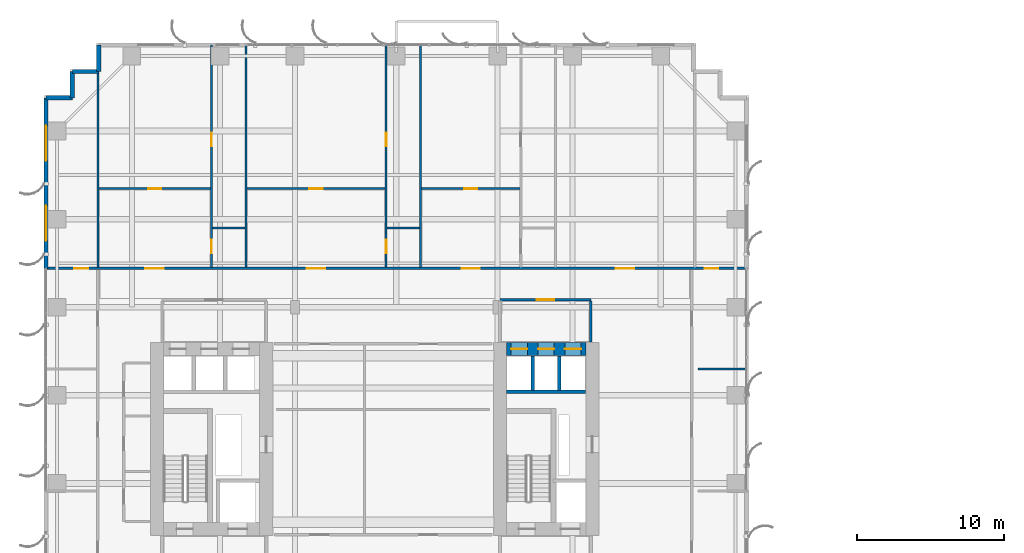
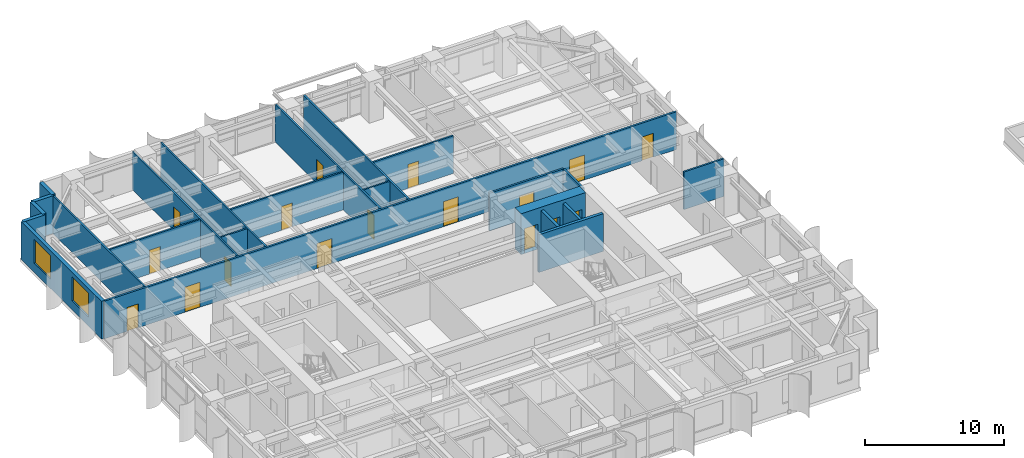
# One storey, part 19 of 26: 23 walls, 17 doors, 2 windows, 19 openings.
"""IFC4 building model written with IfcOpenShell, lengths in metres."""

from ifc_helpers import new_model, si_unit, direction, frame, frame_2d, origin, place, context, subcontext, project, spatial, rectangle, extrude, source, transform, mapped, material, layer, layer_set, type_object, element, fill, save


model = new_model("IFC4")

# Units and contexts
model_context = context("Model", 3, precision=1e-05, world=origin(), true_north=direction((0.0, 1.0)))
body_context = subcontext(model_context, "Body", "Model", "MODEL_VIEW")
ifc_project = project(units=[si_unit("LENGTHUNIT", "METRE"), si_unit("AREAUNIT", "SQUARE_METRE"), si_unit("VOLUMEUNIT", "CUBIC_METRE"), si_unit("PLANEANGLEUNIT", "RADIAN"), si_unit("MASSUNIT", "GRAM", prefix="KILO")], contexts=[model_context])

# Site, building, storey
site_placement = place(None, origin())
site = spatial("IfcSite", under=ifc_project, at=site_placement, CompositionType="ELEMENT")
building_placement = place(site_placement, origin())
building = spatial("IfcBuilding", under=site, at=building_placement, Name="Khoralis Quay Care Tower", CompositionType="ELEMENT")
storey_placement = place(building_placement, frame((0.0, 0.0, 26.10009765625)))
storey = spatial("IfcBuildingStorey", under=building, at=storey_placement, Name="L06", CompositionType="ELEMENT", Elevation=26.10009765625)

# Wall, openings, doors
ifc_material_1 = material(Name="Concrete C80/95", Category="concrete")
ifc_layer_1 = layer(ifc_material_1, 0.89990234375)
ifc_layer_set_1 = layer_set([ifc_layer_1], Name="Concrete C80/95")
wall_type_1 = type_object("IfcWallType", Name="WL-CORE-900", PredefinedType="SHEAR", material=ifc_layer_set_1)
wall_1_placement = place(storey_placement, frame((31.52001953125, 27.14990234375, 0.0), z_axis=(0.0, 0.0, 1.0), x_axis=(1.0, 0.0, 0.0)))
wall_1 = element("IfcWall", 1, at=wall_1_placement, inside=storey, type_object=wall_type_1, Name="L06 ECORE North Shear Wall", PredefinedType="SHEAR", context=body_context, shape_type="SweptSolid", body=[
    extrude(rectangle(XDim=5.3798828125, YDim=0.89990234375, at=frame_2d((2.68994140625, 0.0))), origin(), (0.0, 0.0, 1.0), 3.599853515625),
])
opening_1_placement = place(wall_1_placement, frame((0.300048828125, 0.0, 0.0)))
opening_1 = element("IfcOpeningElement", 2, at=opening_1_placement, cuts=wall_1, Name="Opening LD1", PredefinedType="OPENING", context=body_context, shape_type="SweptSolid", body=[
    extrude(rectangle(XDim=1.10009765625, YDim=2.199951171875, at=frame_2d((0.550048828125, 1.10009765625))), frame((0.0, 0.4599609375, 0.0), z_axis=(0.0, -1.0, 0.0), x_axis=(1.0, 0.0, 0.0)), (0.0, 0.0, 1.0), 0.919921875),
])
opening_2_placement = place(wall_1_placement, frame((2.1298828125, 0.0, 0.0)))
opening_2 = element("IfcOpeningElement", 3, at=opening_2_placement, cuts=wall_1, Name="Opening LD1", PredefinedType="OPENING", context=body_context, shape_type="SweptSolid", body=[
    extrude(rectangle(XDim=1.10009765625, YDim=2.199951171875, at=frame_2d((0.550048828125, 1.10009765625))), frame((0.0, 0.4599609375, 0.0), z_axis=(0.0, -1.0, 0.0), x_axis=(1.0, 0.0, 0.0)), (0.0, 0.0, 1.0), 0.919921875),
])
opening_3_placement = place(wall_1_placement, frame((3.9599609375, 0.0, 0.0)))
opening_3 = element("IfcOpeningElement", 4, at=opening_3_placement, cuts=wall_1, Name="Opening LD1", PredefinedType="OPENING", context=body_context, shape_type="SweptSolid", body=[
    extrude(rectangle(XDim=1.10009765625, YDim=2.199951171875, at=frame_2d((0.550048828125, 1.10009765625))), frame((0.0, 0.4599609375, 0.0), z_axis=(0.0, -1.0, 0.0), x_axis=(1.0, 0.0, 0.0)), (0.0, 0.0, 1.0), 0.919921875),
])
ifc_material_2 = material(Name="Brushed stainless steel", Category="steel")
door_type_1 = type_object("IfcDoorType", Name="DR-LIFT-1100X2200", OperationType="SLIDING_TO_LEFT", PredefinedType="DOOR", material=ifc_material_2)
shared_shape_1 = source(origin(), body_context, "Body", "SweptSolid", [
    extrude(rectangle(XDim=1.10009765625, YDim=2.199951171875, at=frame_2d((0.550048828125, 1.10009765625))), frame((0.0, 0.02490234375, 0.0), z_axis=(0.0, -1.0, 0.0), x_axis=(1.0, 0.0, 0.0)), (0.0, 0.0, 1.0), 0.050048828125),
])
door_1_placement = place(opening_1_placement, origin())
door_1 = element("IfcDoor", 5, at=door_1_placement, inside=storey, type_object=door_type_1, Name="L06 Lift PLL2 Landing Door", OperationType="SLIDING_TO_LEFT", OverallHeight=2.199951171875, OverallWidth=1.10009765625, PredefinedType="DOOR", context=body_context, shape_type="MappedRepresentation", body=[
    mapped(shared_shape_1, transform((0.0, 0.0, 0.0), scale=1.0)),
])
fill(opening_1, door_1)
door_2_placement = place(opening_2_placement, origin())
door_2 = element("IfcDoor", 6, at=door_2_placement, inside=storey, type_object=door_type_1, Name="L06 Lift PLM2 Landing Door", OperationType="SLIDING_TO_LEFT", OverallHeight=2.199951171875, OverallWidth=1.10009765625, PredefinedType="DOOR", context=body_context, shape_type="MappedRepresentation", body=[
    mapped(shared_shape_1, transform((0.0, 0.0, 0.0), scale=1.0)),
])
fill(opening_2, door_2)
door_3_placement = place(opening_3_placement, origin())
door_3 = element("IfcDoor", 7, at=door_3_placement, inside=storey, type_object=door_type_1, Name="L06 Lift PLH2 Landing Door", OperationType="SLIDING_TO_LEFT", OverallHeight=2.199951171875, OverallWidth=1.10009765625, PredefinedType="DOOR", context=body_context, shape_type="MappedRepresentation", body=[
    mapped(shared_shape_1, transform((0.0, 0.0, 0.0), scale=1.0)),
])
fill(opening_3, door_3)

# Wall, opening, door
ifc_material_3 = material(Name="Gypsum plasterboard on acoustic metal stud")
ifc_layer_2 = layer(ifc_material_3, 0.1650390625)
ifc_layer_set_2 = layer_set([ifc_layer_2], Name="Gypsum plasterboard on acoustic metal stud")
wall_type_2 = type_object("IfcWallType", Name="WL-CORR-165", PredefinedType="PARTITIONING", material=ifc_layer_set_2)
wall_2_placement = place(storey_placement, frame((31.050048828125, 30.5, 0.0), z_axis=(0.0, 0.0, 1.0), x_axis=(1.0, 0.0, 0.0)))
wall_2 = element("IfcWall", 8, at=wall_2_placement, inside=storey, type_object=wall_type_2, Name="L06 East Lift Lobby North Wall", PredefinedType="PARTITIONING", context=body_context, shape_type="SweptSolid", body=[
    extrude(rectangle(XDim=6.199951171875, YDim=0.1650390625, at=frame_2d((3.10009765625, 0.0))), origin(), (0.0, 0.0, 1.0), 3.31982421875),
])
opening_4_placement = place(wall_2_placement, frame((2.5, 0.0, 0.0)))
opening_4 = element("IfcOpeningElement", 9, at=opening_4_placement, cuts=wall_2, Name="Opening FD1", PredefinedType="OPENING", context=body_context, shape_type="SweptSolid", body=[
    extrude(rectangle(XDim=1.199951171875, YDim=2.199951171875, at=frame_2d((0.60009765625, 1.10009765625))), frame((0.0, 0.092529296875, 0.0), z_axis=(0.0, -1.0, 0.0), x_axis=(1.0, 0.0, 0.0)), (0.0, 0.0, 1.0), 0.18505859375),
])
ifc_material_4 = material(Name="Fire-rated painted steel", Category="steel")
door_type_2 = type_object("IfcDoorType", Name="DR-FFL-1200X2200", OperationType="NOTDEFINED", PredefinedType="DOOR", material=ifc_material_4)
shared_shape_2 = source(origin(), body_context, "Body", "SweptSolid", [
    extrude(rectangle(XDim=1.199951171875, YDim=2.199951171875, at=frame_2d((0.60009765625, 1.10009765625))), frame((0.0, 0.02490234375, 0.0), z_axis=(0.0, -1.0, 0.0), x_axis=(1.0, 0.0, 0.0)), (0.0, 0.0, 1.0), 0.050048828125),
])
door_4_placement = place(opening_4_placement, origin())
door_4 = element("IfcDoor", 10, at=door_4_placement, inside=storey, type_object=door_type_2, Name="L06 East Lift Lobby Double Door", OperationType="DOUBLE_DOOR_SINGLE_SWING", OverallHeight=2.199951171875, OverallWidth=1.199951171875, PredefinedType="DOOR", context=body_context, shape_type="MappedRepresentation", body=[
    mapped(shared_shape_2, transform((0.0, 0.0, 0.0), scale=1.0)),
])
fill(opening_4, door_4)

# Wall
wall_3_placement = place(storey_placement, frame((37.25, 27.6201171875, 0.0), z_axis=(0.0, 0.0, 1.0), x_axis=(0.0, 1.0, 0.0)))
element("IfcWall", 11, at=wall_3_placement, inside=storey, type_object=wall_type_2, Name="L06 East Lift Lobby East Wall", PredefinedType="PARTITIONING", context=body_context, shape_type="SweptSolid", body=[
    extrude(rectangle(XDim=2.802490234375, YDim=0.1650390625, at=frame_2d((1.4013671875, 0.0))), origin(), (0.0, 0.0, 1.0), 3.31982421875),
])

# Wall, openings, doors
wall_4_placement = place(storey_placement, frame((0.14501953125, 32.639892578125, 0.0), z_axis=(0.0, 0.0, 1.0), x_axis=(1.0, 0.0, 0.0)))
wall_4 = element("IfcWall", 12, at=wall_4_placement, inside=storey, type_object=wall_type_2, Name="L06 North Main Corridor Wall", PredefinedType="PARTITIONING", context=body_context, shape_type="SweptSolid", body=[
    extrude(rectangle(XDim=47.7099609375, YDim=0.1650390625, at=frame_2d((23.85498046875, 0.0))), origin(), (0.0, 0.0, 1.0), 3.31982421875),
])
opening_5_placement = place(wall_4_placement, frame((6.77490234375, 0.0, 0.0)))
opening_5 = element("IfcOpeningElement", 13, at=opening_5_placement, cuts=wall_4, Name="Opening CD1", PredefinedType="OPENING", context=body_context, shape_type="SweptSolid", body=[
    extrude(rectangle(XDim=1.25, YDim=2.199951171875, at=frame_2d((0.625, 1.10009765625))), frame((0.0, 0.092529296875, 0.0), z_axis=(0.0, -1.0, 0.0), x_axis=(1.0, 0.0, 0.0)), (0.0, 0.0, 1.0), 0.18505859375),
])
opening_6_placement = place(wall_4_placement, frame((17.764892578125, 0.0, 0.0)))
opening_6 = element("IfcOpeningElement", 14, at=opening_6_placement, cuts=wall_4, Name="Opening CD1", PredefinedType="OPENING", context=body_context, shape_type="SweptSolid", body=[
    extrude(rectangle(XDim=1.25, YDim=2.199951171875, at=frame_2d((0.625, 1.10009765625))), frame((0.0, 0.092529296875, 0.0), z_axis=(0.0, -1.0, 0.0), x_axis=(1.0, 0.0, 0.0)), (0.0, 0.0, 1.0), 0.18505859375),
])
opening_7_placement = place(wall_4_placement, frame((28.300048828125, 0.0, 0.0)))
opening_7 = element("IfcOpeningElement", 15, at=opening_7_placement, cuts=wall_4, Name="Opening CD1", PredefinedType="OPENING", context=body_context, shape_type="SweptSolid", body=[
    extrude(rectangle(XDim=1.25, YDim=2.199951171875, at=frame_2d((0.625, 1.10009765625))), frame((0.0, 0.092529296875, 0.0), z_axis=(0.0, -1.0, 0.0), x_axis=(1.0, 0.0, 0.0)), (0.0, 0.0, 1.0), 0.18505859375),
])
opening_8_placement = place(wall_4_placement, frame((38.804931640625, 0.0, 0.0)))
opening_8 = element("IfcOpeningElement", 16, at=opening_8_placement, cuts=wall_4, Name="Opening CD1", PredefinedType="OPENING", context=body_context, shape_type="SweptSolid", body=[
    extrude(rectangle(XDim=1.25, YDim=2.199951171875, at=frame_2d((0.625, 1.10009765625))), frame((0.0, 0.092529296875, 0.0), z_axis=(0.0, -1.0, 0.0), x_axis=(1.0, 0.0, 0.0)), (0.0, 0.0, 1.0), 0.18505859375),
])
opening_9_placement = place(wall_4_placement, frame((1.919921875, 0.0, 0.0)))
opening_9 = element("IfcOpeningElement", 17, at=opening_9_placement, cuts=wall_4, Name="Opening ID1", PredefinedType="OPENING", context=body_context, shape_type="SweptSolid", body=[
    extrude(rectangle(XDim=0.949951171875, YDim=2.10009765625, at=frame_2d((0.47509765625, 1.050048828125))), frame((0.0, 0.092529296875, 0.0), z_axis=(0.0, -1.0, 0.0), x_axis=(1.0, 0.0, 0.0)), (0.0, 0.0, 1.0), 0.18505859375),
])
opening_10_placement = place(wall_4_placement, frame((44.840087890625, 0.0, 0.0)))
opening_10 = element("IfcOpeningElement", 18, at=opening_10_placement, cuts=wall_4, Name="Opening ID1", PredefinedType="OPENING", context=body_context, shape_type="SweptSolid", body=[
    extrude(rectangle(XDim=0.949951171875, YDim=2.10009765625, at=frame_2d((0.47509765625, 1.050048828125))), frame((0.0, 0.092529296875, 0.0), z_axis=(0.0, -1.0, 0.0), x_axis=(1.0, 0.0, 0.0)), (0.0, 0.0, 1.0), 0.18505859375),
])
ifc_material_5 = material(Name="Acoustic hardwood timber", Category="wood")
door_type_3 = type_object("IfcDoorType", Name="DR-CARE-1250X2200", OperationType="NOTDEFINED", PredefinedType="DOOR", material=ifc_material_5)
shared_shape_3 = source(origin(), body_context, "Body", "SweptSolid", [
    extrude(rectangle(XDim=1.25, YDim=2.199951171875, at=frame_2d((0.625, 1.10009765625))), frame((0.0, 0.02490234375, 0.0), z_axis=(0.0, -1.0, 0.0), x_axis=(1.0, 0.0, 0.0)), (0.0, 0.0, 1.0), 0.050048828125),
])
door_5_placement = place(opening_5_placement, origin())
door_5 = element("IfcDoor", 19, at=door_5_placement, inside=storey, type_object=door_type_3, Name="L06 Care Suite NB0 Clinical Door", OperationType="SINGLE_SWING_RIGHT", OverallHeight=2.199951171875, OverallWidth=1.25, PredefinedType="DOOR", context=body_context, shape_type="MappedRepresentation", body=[
    mapped(shared_shape_3, transform((0.0, 0.0, 0.0), scale=1.0)),
])
fill(opening_5, door_5)
door_6_placement = place(opening_6_placement, origin())
door_6 = element("IfcDoor", 20, at=door_6_placement, inside=storey, type_object=door_type_3, Name="L06 Care Suite NB1 Clinical Door", OperationType="SINGLE_SWING_LEFT", OverallHeight=2.199951171875, OverallWidth=1.25, PredefinedType="DOOR", context=body_context, shape_type="MappedRepresentation", body=[
    mapped(shared_shape_3, transform((0.0, 0.0, 0.0), scale=1.0)),
])
fill(opening_6, door_6)
door_7_placement = place(opening_7_placement, origin())
door_7 = element("IfcDoor", 21, at=door_7_placement, inside=storey, type_object=door_type_3, Name="L06 Care Suite NB2 Clinical Door", OperationType="SINGLE_SWING_RIGHT", OverallHeight=2.199951171875, OverallWidth=1.25, PredefinedType="DOOR", context=body_context, shape_type="MappedRepresentation", body=[
    mapped(shared_shape_3, transform((0.0, 0.0, 0.0), scale=1.0)),
])
fill(opening_7, door_7)
door_8_placement = place(opening_8_placement, origin())
door_8 = element("IfcDoor", 22, at=door_8_placement, inside=storey, type_object=door_type_3, Name="L06 Geriatric Consultation Clinic Door", OperationType="SINGLE_SWING_LEFT", OverallHeight=2.199951171875, OverallWidth=1.25, PredefinedType="DOOR", context=body_context, shape_type="MappedRepresentation", body=[
    mapped(shared_shape_3, transform((0.0, 0.0, 0.0), scale=1.0)),
])
fill(opening_8, door_8)
door_type_4 = type_object("IfcDoorType", Name="DR-ROOM-950X2100", OperationType="NOTDEFINED", PredefinedType="DOOR", material=ifc_material_5)
shared_shape_4 = source(origin(), body_context, "Body", "SweptSolid", [
    extrude(rectangle(XDim=0.949951171875, YDim=2.10009765625, at=frame_2d((0.47509765625, 1.050048828125))), frame((0.0, 0.02490234375, 0.0), z_axis=(0.0, -1.0, 0.0), x_axis=(1.0, 0.0, 0.0)), (0.0, 0.0, 1.0), 0.050048828125),
])
door_9_placement = place(opening_9_placement, origin())
door_9 = element("IfcDoor", 23, at=door_9_placement, inside=storey, type_object=door_type_4, Name="L06 NW Corner Door", OperationType="SINGLE_SWING_RIGHT", OverallHeight=2.10009765625, OverallWidth=0.949951171875, PredefinedType="DOOR", context=body_context, shape_type="MappedRepresentation", body=[
    mapped(shared_shape_4, transform((0.0, 0.0, 0.0), scale=1.0)),
])
fill(opening_9, door_9)
door_10_placement = place(opening_10_placement, origin())
door_10 = element("IfcDoor", 24, at=door_10_placement, inside=storey, type_object=door_type_4, Name="L06 NE Corner Door", OperationType="SINGLE_SWING_LEFT", OverallHeight=2.10009765625, OverallWidth=0.949951171875, PredefinedType="DOOR", context=body_context, shape_type="MappedRepresentation", body=[
    mapped(shared_shape_4, transform((0.0, 0.0, 0.0), scale=1.0)),
])
fill(opening_10, door_10)

# Walls
ifc_material_6 = material(Name="Precast concrete C45/55", Category="concrete")
ifc_layer_3 = layer(ifc_material_6, 0.300048828125)
ifc_layer_set_3 = layer_set([ifc_layer_3], Name="Precast concrete C45/55")
wall_type_3 = type_object("IfcWallType", Name="WL-EXT-REF-300", PredefinedType="SOLIDWALL", material=ifc_layer_set_3)
for number, where, z_axis, x_axis, name in (
    (25, (3.75, 47.85009765625, 0.0), (0.0, 0.0, 1.0), (0.0, -1.0, 0.0), "L06 External Facade Wall WL-EXT-L06-P1-C11"),
    (26, (3.75, 46.050048828125, 0.0), (0.0, 0.0, 1.0), (-1.0, 0.0, 0.0), "L06 External Facade Wall WL-EXT-L06-P1-C12"),
    (27, (1.949951171875, 46.050048828125, 0.0), (0.0, 0.0, 1.0), (0.0, -1.0, 0.0), "L06 External Facade Wall WL-EXT-L06-P1-C13"),
    (28, (1.949951171875, 44.25, 0.0), (0.0, 0.0, 1.0), (-1.0, 0.0, 0.0), "L06 External Facade Wall WL-EXT-L06-P1-C14"),
):
    element("IfcWall", number, at=place(storey_placement, frame(where, z_axis=z_axis, x_axis=x_axis)), inside=storey, type_object=wall_type_3, Name=name, PredefinedType="SOLIDWALL", context=body_context, shape_type="SweptSolid", body=[
        extrude(rectangle(XDim=1.800048828125, YDim=0.300048828125, at=frame_2d((0.89990234375, 0.0))), origin(), (0.0, 0.0, 1.0), 3.31982421875),
    ])

# Wall, openings, windows
wall_5_placement = place(storey_placement, frame((0.14990234375, 44.25, 0.0), z_axis=(0.0, 0.0, 1.0), x_axis=(0.0, -1.0, 0.0)))
wall_5 = element("IfcWall", 29, at=wall_5_placement, inside=storey, type_object=wall_type_3, Name="L06 External Facade Wall WL-EXT-L06-P1-E15A", PredefinedType="SOLIDWALL", context=body_context, shape_type="SweptSolid", body=[
    extrude(rectangle(XDim=11.610107421875, YDim=0.300048828125, at=frame_2d((5.80517578125, 0.0))), origin(), (0.0, 0.0, 1.0), 3.31982421875),
])
opening_11_placement = place(wall_5_placement, frame((1.882568359375, 0.0, 0.800048828125)))
opening_11 = element("IfcOpeningElement", 30, at=opening_11_placement, cuts=wall_5, Name="Opening W1", PredefinedType="OPENING", context=body_context, shape_type="SweptSolid", body=[
    extrude(rectangle(XDim=2.39990234375, YDim=2.10009765625, at=frame_2d((1.199951171875, 1.050048828125))), frame((0.0, 0.16015625, 0.0), z_axis=(0.0, -1.0, 0.0), x_axis=(1.0, 0.0, 0.0)), (0.0, 0.0, 1.0), 0.320068359375),
])
opening_12_placement = place(wall_5_placement, frame((7.327392578125, 0.0, 0.800048828125)))
opening_12 = element("IfcOpeningElement", 31, at=opening_12_placement, cuts=wall_5, Name="Opening W1", PredefinedType="OPENING", context=body_context, shape_type="SweptSolid", body=[
    extrude(rectangle(XDim=2.39990234375, YDim=2.10009765625, at=frame_2d((1.199951171875, 1.050048828125))), frame((0.0, 0.16015625, 0.0), z_axis=(0.0, -1.0, 0.0), x_axis=(1.0, 0.0, 0.0)), (0.0, 0.0, 1.0), 0.320068359375),
])
ifc_material_7 = material(Name="Low-E solar-control double glazing", Category="glass")
window_type = type_object("IfcWindowType", Name="WN-POD-2400X2100", PartitioningType="SINGLE_PANEL", PredefinedType="WINDOW", material=ifc_material_7)
shared_shape_5 = source(origin(), body_context, "Body", "SweptSolid", [
    extrude(rectangle(XDim=2.39990234375, YDim=2.10009765625, at=frame_2d((1.199951171875, 1.050048828125))), frame((0.0, 0.030029296875, 0.0), z_axis=(0.0, -1.0, 0.0), x_axis=(1.0, 0.0, 0.0)), (0.0, 0.0, 1.0), 0.06005859375),
])
window_1_placement = place(opening_11_placement, origin())
window_1 = element("IfcWindow", 32, at=window_1_placement, inside=storey, type_object=window_type, Name="WN-L06-P1-E15A Facade Window 01", OverallHeight=2.10009765625, OverallWidth=2.39990234375, PartitioningType="SINGLE_PANEL", PredefinedType="WINDOW", context=body_context, shape_type="MappedRepresentation", body=[
    mapped(shared_shape_5, transform((0.0, 0.0, 0.0), scale=1.0)),
])
fill(opening_11, window_1)
window_2_placement = place(opening_12_placement, origin())
window_2 = element("IfcWindow", 33, at=window_2_placement, inside=storey, type_object=window_type, Name="WN-L06-P1-E15A Facade Window 02", OverallHeight=2.10009765625, OverallWidth=2.39990234375, PartitioningType="SINGLE_PANEL", PredefinedType="WINDOW", context=body_context, shape_type="MappedRepresentation", body=[
    mapped(shared_shape_5, transform((0.0, 0.0, 0.0), scale=1.0)),
])
fill(opening_12, window_2)

# Wall, openings, doors
ifc_material_8 = material(Name="Moisture-resistant gypsum and ceramic tile")
ifc_layer_4 = layer(ifc_material_8, 0.280029296875)
ifc_layer_set_4 = layer_set([ifc_layer_4], Name="Moisture-resistant gypsum and ceramic tile")
wall_type_4 = type_object("IfcWallType", Name="WL-PLUMB-280", PredefinedType="PLUMBINGWALL", material=ifc_layer_set_4)
wall_6_placement = place(storey_placement, frame((11.409912109375, 32.717529296875, 0.0), z_axis=(0.0, 0.0, 1.0), x_axis=(0.0, 1.0, 0.0)))
wall_6 = element("IfcWall", 34, at=wall_6_placement, inside=storey, type_object=wall_type_4, Name="L06 Care Suite 0 En-Suite Wall V", PredefinedType="PLUMBINGWALL", context=body_context, shape_type="SweptSolid", body=[
    extrude(rectangle(XDim=15.137451171875, YDim=0.139892578125, at=frame_2d((7.56884765625, 0.0))), origin(), (0.0, 0.0, 1.0), 3.31982421875),
])
opening_13_placement = place(wall_6_placement, frame((0.96240234375, 0.0, 0.0)))
opening_13 = element("IfcOpeningElement", 35, at=opening_13_placement, cuts=wall_6, Name="Opening WD1", PredefinedType="OPENING", context=body_context, shape_type="SweptSolid", body=[
    extrude(rectangle(XDim=0.89990234375, YDim=2.10009765625, at=frame_2d((0.449951171875, 1.050048828125))), frame((0.0, 0.080078125, 0.0), z_axis=(0.0, -1.0, 0.0), x_axis=(1.0, 0.0, 0.0)), (0.0, 0.0, 1.0), 0.159912109375),
])
opening_14_placement = place(wall_6_placement, frame((8.25244140625, 0.0, 0.0)))
opening_14 = element("IfcOpeningElement", 36, at=opening_14_placement, cuts=wall_6, Name="Opening WD1", PredefinedType="OPENING", context=body_context, shape_type="SweptSolid", body=[
    extrude(rectangle(XDim=0.89990234375, YDim=2.10009765625, at=frame_2d((0.449951171875, 1.050048828125))), frame((0.0, 0.080078125, 0.0), z_axis=(0.0, -1.0, 0.0), x_axis=(1.0, 0.0, 0.0)), (0.0, 0.0, 1.0), 0.159912109375),
])
door_type_5 = type_object("IfcDoorType", Name="DR-BATH-900X2100", OperationType="NOTDEFINED", PredefinedType="DOOR", material=ifc_material_5)
shared_shape_6 = source(origin(), body_context, "Body", "SweptSolid", [
    extrude(rectangle(XDim=0.89990234375, YDim=2.10009765625, at=frame_2d((0.449951171875, 1.050048828125))), frame((0.0, 0.02490234375, 0.0), z_axis=(0.0, -1.0, 0.0), x_axis=(1.0, 0.0, 0.0)), (0.0, 0.0, 1.0), 0.050048828125),
])
door_11_placement = place(opening_13_placement, frame((0.89990234375, 0.0, 0.0), z_axis=(0.0, 0.0, 1.0), x_axis=(-1.0, 0.0, 0.0)))
door_11 = element("IfcDoor", 37, at=door_11_placement, inside=storey, type_object=door_type_5, Name="L06 Care CENS Door", OperationType="SINGLE_SWING_LEFT", OverallHeight=2.10009765625, OverallWidth=0.89990234375, PredefinedType="DOOR", context=body_context, shape_type="MappedRepresentation", body=[
    mapped(shared_shape_6, transform((0.0, 0.0, 0.0), scale=1.0)),
])
fill(opening_13, door_11)
door_12_placement = place(opening_14_placement, frame((0.89990234375, 0.0, 0.0), z_axis=(0.0, 0.0, 1.0), x_axis=(-1.0, 0.0, 0.0)))
door_12 = element("IfcDoor", 38, at=door_12_placement, inside=storey, type_object=door_type_5, Name="L06 Care CSIT Door", OperationType="SINGLE_SWING_RIGHT", OverallHeight=2.10009765625, OverallWidth=0.89990234375, PredefinedType="DOOR", context=body_context, shape_type="MappedRepresentation", body=[
    mapped(shared_shape_6, transform((0.0, 0.0, 0.0), scale=1.0)),
])
fill(opening_14, door_12)

# Wall
wall_7_placement = place(storey_placement, frame((11.47509765625, 35.389892578125, 0.0), z_axis=(0.0, 0.0, 1.0), x_axis=(1.0, 0.0, 0.0)))
element("IfcWall", 39, at=wall_7_placement, inside=storey, type_object=wall_type_4, Name="L06 Care Suite 0 En-Suite Wall H", PredefinedType="PLUMBINGWALL", context=body_context, shape_type="SweptSolid", body=[
    extrude(rectangle(XDim=2.219970703125, YDim=0.139892578125, at=frame_2d((1.10986328125, 0.0))), origin(), (0.0, 0.0, 1.0), 3.31982421875),
])

# Wall, openings, doors
wall_8_placement = place(storey_placement, frame((23.31005859375, 32.717529296875, 0.0), z_axis=(0.0, 0.0, 1.0), x_axis=(0.0, 1.0, 0.0)))
wall_8 = element("IfcWall", 40, at=wall_8_placement, inside=storey, type_object=wall_type_4, Name="L06 Care Suite 1 En-Suite Wall V", PredefinedType="PLUMBINGWALL", context=body_context, shape_type="SweptSolid", body=[
    extrude(rectangle(XDim=15.137451171875, YDim=0.139892578125, at=frame_2d((7.56884765625, 0.0))), origin(), (0.0, 0.0, 1.0), 3.31982421875),
])
opening_15_placement = place(wall_8_placement, frame((0.96240234375, 0.0, 0.0)))
opening_15 = element("IfcOpeningElement", 41, at=opening_15_placement, cuts=wall_8, Name="Opening WD1", PredefinedType="OPENING", context=body_context, shape_type="SweptSolid", body=[
    extrude(rectangle(XDim=0.89990234375, YDim=2.10009765625, at=frame_2d((0.449951171875, 1.050048828125))), frame((0.0, 0.080078125, 0.0), z_axis=(0.0, -1.0, 0.0), x_axis=(1.0, 0.0, 0.0)), (0.0, 0.0, 1.0), 0.159912109375),
])
opening_16_placement = place(wall_8_placement, frame((8.25244140625, 0.0, 0.0)))
opening_16 = element("IfcOpeningElement", 42, at=opening_16_placement, cuts=wall_8, Name="Opening WD1", PredefinedType="OPENING", context=body_context, shape_type="SweptSolid", body=[
    extrude(rectangle(XDim=0.89990234375, YDim=2.10009765625, at=frame_2d((0.449951171875, 1.050048828125))), frame((0.0, 0.080078125, 0.0), z_axis=(0.0, -1.0, 0.0), x_axis=(1.0, 0.0, 0.0)), (0.0, 0.0, 1.0), 0.159912109375),
])
door_13_placement = place(opening_15_placement, frame((0.89990234375, 0.0, 0.0), z_axis=(0.0, 0.0, 1.0), x_axis=(-1.0, 0.0, 0.0)))
door_13 = element("IfcDoor", 43, at=door_13_placement, inside=storey, type_object=door_type_5, Name="L06 Care CENS Door", OperationType="SINGLE_SWING_RIGHT", OverallHeight=2.10009765625, OverallWidth=0.89990234375, PredefinedType="DOOR", context=body_context, shape_type="MappedRepresentation", body=[
    mapped(shared_shape_6, transform((0.0, 0.0, 0.0), scale=1.0)),
])
fill(opening_15, door_13)
door_14_placement = place(opening_16_placement, frame((0.89990234375, 0.0, 0.0), z_axis=(0.0, 0.0, 1.0), x_axis=(-1.0, 0.0, 0.0)))
door_14 = element("IfcDoor", 44, at=door_14_placement, inside=storey, type_object=door_type_5, Name="L06 Care CSIT Door", OperationType="SINGLE_SWING_LEFT", OverallHeight=2.10009765625, OverallWidth=0.89990234375, PredefinedType="DOOR", context=body_context, shape_type="MappedRepresentation", body=[
    mapped(shared_shape_6, transform((0.0, 0.0, 0.0), scale=1.0)),
])
fill(opening_16, door_14)

# Walls
wall_9_placement = place(storey_placement, frame((23.375, 35.389892578125, 0.0), z_axis=(0.0, 0.0, 1.0), x_axis=(1.0, 0.0, 0.0)))
element("IfcWall", 45, at=wall_9_placement, inside=storey, type_object=wall_type_4, Name="L06 Care Suite 1 En-Suite Wall H", PredefinedType="PLUMBINGWALL", context=body_context, shape_type="SweptSolid", body=[
    extrude(rectangle(XDim=2.219970703125, YDim=0.139892578125, at=frame_2d((1.10986328125, 0.0))), origin(), (0.0, 0.0, 1.0), 3.31982421875),
])
ifc_layer_5 = layer(ifc_material_3, 0.239990234375)
ifc_layer_set_5 = layer_set([ifc_layer_5], Name="Gypsum plasterboard on acoustic metal stud")
wall_type_5 = type_object("IfcWallType", Name="WL-SHAFT-240", PredefinedType="PARTITIONING", material=ifc_layer_set_5)
wall_10_placement = place(storey_placement, frame((31.52001953125, 24.22998046875, 0.0), z_axis=(0.0, 0.0, 1.0), x_axis=(1.0, 0.0, 0.0)))
element("IfcWall", 46, at=wall_10_placement, inside=storey, type_object=wall_type_5, Name="L06 East Passenger Shaft South Wall", PredefinedType="PARTITIONING", context=body_context, shape_type="SweptSolid", body=[
    extrude(rectangle(XDim=5.35986328125, YDim=0.239990234375, at=frame_2d((2.679931640625, 0.0))), origin(), (0.0, 0.0, 1.0), 3.31982421875),
])
for number, where, z_axis, x_axis, name in (
    (47, (33.2900390625, 24.344970703125, 0.0), (0.0, 0.0, 1.0), (0.0, 1.0, 0.0), "L06 East Shaft Divider 1"),
    (48, (35.110107421875, 24.344970703125, 0.0), (0.0, 0.0, 1.0), (0.0, 1.0, 0.0), "L06 East Shaft Divider 2"),
):
    element("IfcWall", number, at=place(storey_placement, frame(where, z_axis=z_axis, x_axis=x_axis)), inside=storey, type_object=wall_type_5, Name=name, PredefinedType="PARTITIONING", context=body_context, shape_type="SweptSolid", body=[
        extrude(rectangle(XDim=2.3349609375, YDim=0.239990234375, at=frame_2d((1.16748046875, 0.0))), origin(), (0.0, 0.0, 1.0), 3.31982421875),
    ])
ifc_layer_6 = layer(ifc_material_3, 0.139892578125)
ifc_layer_set_6 = layer_set([ifc_layer_6], Name="Gypsum plasterboard on acoustic metal stud")
wall_type_6 = type_object("IfcWallType", Name="WL-UNIT-140", PredefinedType="PARTITIONING", material=ifc_layer_set_6)
wall_11_placement = place(storey_placement, frame((44.5400390625, 25.800048828125, 0.0), z_axis=(0.0, 0.0, 1.0), x_axis=(1.0, 0.0, 0.0)))
element("IfcWall", 49, at=wall_11_placement, inside=storey, type_object=wall_type_6, Name="L06 EE Divider 2", PredefinedType="PARTITIONING", context=body_context, shape_type="SweptSolid", body=[
    extrude(rectangle(XDim=3.31494140625, YDim=0.139892578125, at=frame_2d((1.657470703125, 0.0))), origin(), (0.0, 0.0, 1.0), 3.31982421875),
])
wall_12_placement = place(storey_placement, frame((3.679931640625, 32.717529296875, 0.0), z_axis=(0.0, 0.0, 1.0), x_axis=(0.0, 1.0, 0.0)))
element("IfcWall", 50, at=wall_12_placement, inside=storey, type_object=wall_type_6, Name="L06 NB Demising Wall 0", PredefinedType="PARTITIONING", context=body_context, shape_type="SweptSolid", body=[
    extrude(rectangle(XDim=13.33740234375, YDim=0.139892578125, at=frame_2d((6.668701171875, 0.0))), origin(), (0.0, 0.0, 1.0), 3.31982421875),
])
for number, where, z_axis, x_axis, name in (
    (51, (13.760009765625, 32.717529296875, 0.0), (0.0, 0.0, 1.0), (0.0, 1.0, 0.0), "L06 NB Demising Wall 1"),
    (52, (25.659912109375, 32.717529296875, 0.0), (0.0, 0.0, 1.0), (0.0, 1.0, 0.0), "L06 NB Demising Wall 2"),
):
    element("IfcWall", number, at=place(storey_placement, frame(where, z_axis=z_axis, x_axis=x_axis)), inside=storey, type_object=wall_type_6, Name=name, PredefinedType="PARTITIONING", context=body_context, shape_type="SweptSolid", body=[
        extrude(rectangle(XDim=15.137451171875, YDim=0.139892578125, at=frame_2d((7.56884765625, 0.0))), origin(), (0.0, 0.0, 1.0), 3.31982421875),
    ])

# Wall, opening, door
wall_13_placement = place(storey_placement, frame((3.7451171875, 38.070068359375, 0.0), z_axis=(0.0, 0.0, 1.0), x_axis=(1.0, 0.0, 0.0)))
wall_13 = element("IfcWall", 53, at=wall_13_placement, inside=storey, type_object=wall_type_6, Name="Skilled Care Bedroom L06-NB0 Sub-Partition", PredefinedType="PARTITIONING", context=body_context, shape_type="SweptSolid", body=[
    extrude(rectangle(XDim=7.599853515625, YDim=0.139892578125, at=frame_2d((3.7998046875, 0.0))), origin(), (0.0, 0.0, 1.0), 3.31982421875),
])
opening_17_placement = place(wall_13_placement, frame((3.35009765625, 0.0, 0.0)))
opening_17 = element("IfcOpeningElement", 54, at=opening_17_placement, cuts=wall_13, Name="Opening WD1", PredefinedType="OPENING", context=body_context, shape_type="SweptSolid", body=[
    extrude(rectangle(XDim=0.89990234375, YDim=2.10009765625, at=frame_2d((0.449951171875, 1.050048828125))), frame((0.0, 0.080078125, 0.0), z_axis=(0.0, -1.0, 0.0), x_axis=(1.0, 0.0, 0.0)), (0.0, 0.0, 1.0), 0.159912109375),
])
door_15_placement = place(opening_17_placement, frame((0.89990234375, 0.0, 0.0), z_axis=(0.0, 0.0, 1.0), x_axis=(-1.0, 0.0, 0.0)))
door_15 = element("IfcDoor", 55, at=door_15_placement, inside=storey, type_object=door_type_5, Name="Private Study & Reading Alcove ARE0 Door", OperationType="SINGLE_SWING_LEFT", OverallHeight=2.10009765625, OverallWidth=0.89990234375, PredefinedType="DOOR", context=body_context, shape_type="MappedRepresentation", body=[
    mapped(shared_shape_6, transform((0.0, 0.0, 0.0), scale=1.0)),
])
fill(opening_17, door_15)

wall_14_placement = place(storey_placement, frame((13.824951171875, 38.070068359375, 0.0), z_axis=(0.0, 0.0, 1.0), x_axis=(1.0, 0.0, 0.0)))
wall_14 = element("IfcWall", 56, at=wall_14_placement, inside=storey, type_object=wall_type_6, Name="Skilled Care Bedroom L06-NB1 Sub-Partition", PredefinedType="PARTITIONING", context=body_context, shape_type="SweptSolid", body=[
    extrude(rectangle(XDim=9.420166015625, YDim=0.139892578125, at=frame_2d((4.7099609375, 0.0))), origin(), (0.0, 0.0, 1.0), 3.31982421875),
])
opening_18_placement = place(wall_14_placement, frame((4.260009765625, 0.0, 0.0)))
opening_18 = element("IfcOpeningElement", 57, at=opening_18_placement, cuts=wall_14, Name="Opening WD1", PredefinedType="OPENING", context=body_context, shape_type="SweptSolid", body=[
    extrude(rectangle(XDim=0.89990234375, YDim=2.10009765625, at=frame_2d((0.449951171875, 1.050048828125))), frame((0.0, 0.080078125, 0.0), z_axis=(0.0, -1.0, 0.0), x_axis=(1.0, 0.0, 0.0)), (0.0, 0.0, 1.0), 0.159912109375),
])
door_16_placement = place(opening_18_placement, frame((0.89990234375, 0.0, 0.0), z_axis=(0.0, 0.0, 1.0), x_axis=(-1.0, 0.0, 0.0)))
door_16 = element("IfcDoor", 58, at=door_16_placement, inside=storey, type_object=door_type_5, Name="Private Study & Reading Alcove ARE1 Door", OperationType="SINGLE_SWING_LEFT", OverallHeight=2.10009765625, OverallWidth=0.89990234375, PredefinedType="DOOR", context=body_context, shape_type="MappedRepresentation", body=[
    mapped(shared_shape_6, transform((0.0, 0.0, 0.0), scale=1.0)),
])
fill(opening_18, door_16)

wall_15_placement = place(storey_placement, frame((25.72509765625, 38.070068359375, 0.0), z_axis=(0.0, 0.0, 1.0), x_axis=(1.0, 0.0, 0.0)))
wall_15 = element("IfcWall", 59, at=wall_15_placement, inside=storey, type_object=wall_type_6, Name="Skilled Care Bedroom L06-NB2 Sub-Partition", PredefinedType="PARTITIONING", context=body_context, shape_type="SweptSolid", body=[
    extrude(rectangle(XDim=6.68994140625, YDim=0.139892578125, at=frame_2d((3.344970703125, 0.0))), origin(), (0.0, 0.0, 1.0), 3.31982421875),
])
opening_19_placement = place(wall_15_placement, frame((2.89501953125, 0.0, 0.0)))
opening_19 = element("IfcOpeningElement", 60, at=opening_19_placement, cuts=wall_15, Name="Opening WD1", PredefinedType="OPENING", context=body_context, shape_type="SweptSolid", body=[
    extrude(rectangle(XDim=0.89990234375, YDim=2.10009765625, at=frame_2d((0.449951171875, 1.050048828125))), frame((0.0, 0.080078125, 0.0), z_axis=(0.0, -1.0, 0.0), x_axis=(1.0, 0.0, 0.0)), (0.0, 0.0, 1.0), 0.159912109375),
])
door_17_placement = place(opening_19_placement, frame((0.89990234375, 0.0, 0.0), z_axis=(0.0, 0.0, 1.0), x_axis=(-1.0, 0.0, 0.0)))
door_17 = element("IfcDoor", 61, at=door_17_placement, inside=storey, type_object=door_type_5, Name="Private Study & Reading Alcove ARE2 Door", OperationType="SINGLE_SWING_LEFT", OverallHeight=2.10009765625, OverallWidth=0.89990234375, PredefinedType="DOOR", context=body_context, shape_type="MappedRepresentation", body=[
    mapped(shared_shape_6, transform((0.0, 0.0, 0.0), scale=1.0)),
])
fill(opening_19, door_17)

save(model, "model.ifc")
